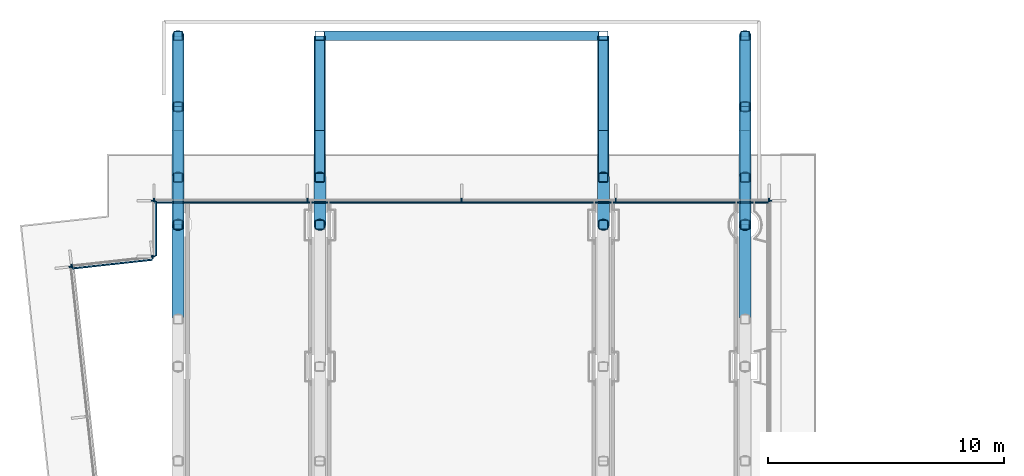
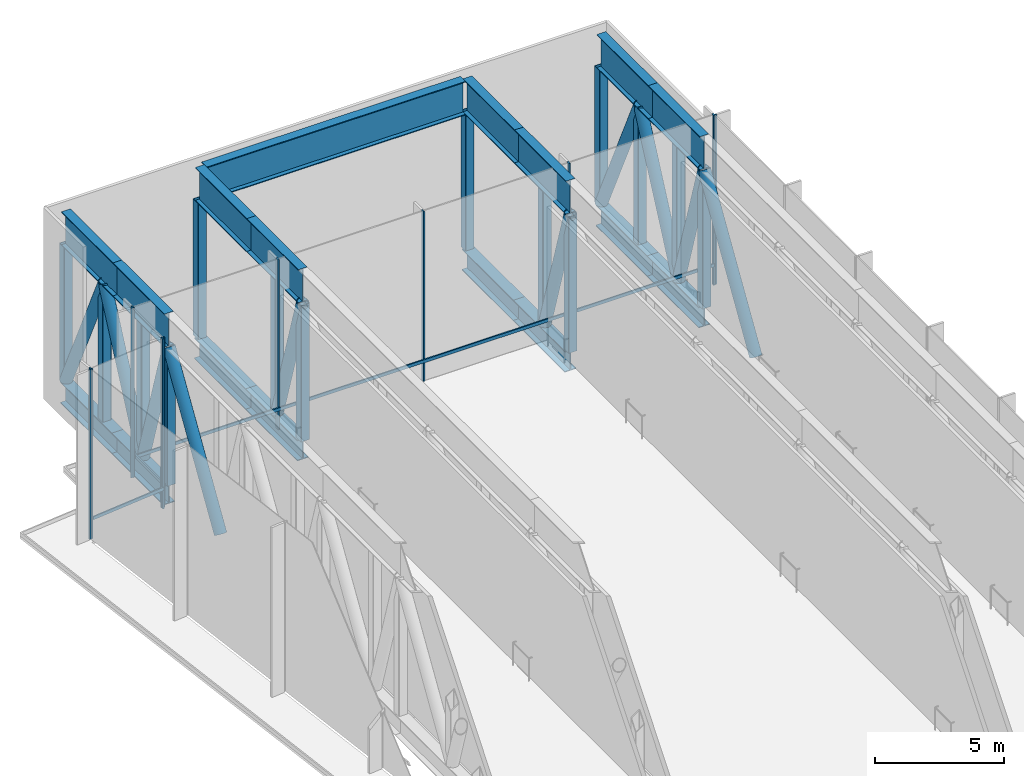
# One storey, part 11 of 25: 54 members, 1 beam, 5 elements without a shape of their own.
"""IFC4 building model written with IfcOpenShell, lengths in metres."""

from ifc_helpers import new_model, si_unit, direction, frame, origin, origin_2d, place, context, subcontext, project, spatial, rectangle, hollow_rectangle, hollow_circle, i_section, extrude, material, layer, layer_set, material_profile, profile_set, type_object, element, aggregate, save


model = new_model("IFC4")

# Units and contexts
model_context = context("Model", 3, precision=1e-05, world=origin(), true_north=direction((0.0, 1.0)))
body_context = subcontext(model_context, "Body", "Model", "MODEL_VIEW")
ifc_project = project(units=[si_unit("LENGTHUNIT", "METRE"), si_unit("AREAUNIT", "SQUARE_METRE"), si_unit("VOLUMEUNIT", "CUBIC_METRE"), si_unit("PLANEANGLEUNIT", "RADIAN"), si_unit("MASSUNIT", "GRAM", prefix="KILO")], contexts=[model_context])

# Site, building, storey
site_placement = place(None, origin())
site = spatial("IfcSite", under=ifc_project, at=site_placement, CompositionType="ELEMENT")
building_placement = place(site_placement, origin())
building = spatial("IfcBuilding", under=site, at=building_placement, Name="Welwitschia Terrace Campus", CompositionType="ELEMENT")
storey_placement = place(building_placement, frame((0.0, 0.0, 79.39990234375)))
storey = spatial("IfcBuildingStorey", under=building, at=storey_placement, Name="L18", CompositionType="ELEMENT", Elevation=79.39990234375)

# Curtain wall, members
ifc_material_1 = material(Name="Bronze anodised aluminium", Category="aluminium")
ifc_layer = layer(ifc_material_1, 0.159912109375)
ifc_layer_set = layer_set([ifc_layer], Name="Bronze anodised aluminium")
curtain_wall_type = type_object("IfcCurtainWallType", Name="Curtain wall CW3 commons 6000", PredefinedType="NOTDEFINED", material=ifc_layer_set)
curtain_wall_1_placement = place(storey_placement, origin())
curtain_wall_1 = element("IfcCurtainWall", 1, at=curtain_wall_1_placement, inside=storey, type_object=curtain_wall_type, Name="CW L18.0.0", PredefinedType="NOTDEFINED")
ifc_material_2 = material(Name="Bronze anodised aluminium", Category="aluminium")
ifc_material_profile_1 = material_profile(ifc_material_2, rectangle(XDim=0.159912109375, YDim=0.06005859375, at=origin_2d()))
ifc_profile_set_1 = profile_set([ifc_material_profile_1], Name="Bronze anodised aluminium")
member_type_1 = type_object("IfcMemberType", Name="Mullion 60x160", PredefinedType="MULLION", material=ifc_profile_set_1)
member_1_placement = place(storey_placement, frame((25.02001953125, 63.050048828125, 0.0), z_axis=(0.0, 0.0, 1.0), x_axis=(0.0, -1.0, 0.0)))
member_1 = element("IfcMember", 2, at=member_1_placement, type_object=member_type_1, Name="Mullion L18.0.0.0", PredefinedType="MULLION", context=body_context, shape_type="SweptSolid", body=[
    extrude(rectangle(XDim=0.159912109375, YDim=0.06005859375, at=origin_2d()), origin(), (0.0, 0.0, 1.0), 8.050048828125),
])
member_2_placement = place(storey_placement, frame((18.52490234375, 63.050048828125, 0.0), z_axis=(0.0, 0.0, 1.0), x_axis=(0.0, -1.0, 0.0)))
member_2 = element("IfcMember", 3, at=member_2_placement, type_object=member_type_1, Name="Mullion L18.0.0.1", PredefinedType="MULLION", context=body_context, shape_type="SweptSolid", body=[
    extrude(rectangle(XDim=0.159912109375, YDim=0.06005859375, at=origin_2d()), origin(), (0.0, 0.0, 1.0), 8.050048828125),
])
member_3_placement = place(storey_placement, frame((12.0, 63.050048828125, 0.0), z_axis=(0.0, 0.0, 1.0), x_axis=(0.0, -1.0, 0.0)))
member_3 = element("IfcMember", 4, at=member_3_placement, type_object=member_type_1, Name="Mullion L18.0.0.2", PredefinedType="MULLION", context=body_context, shape_type="SweptSolid", body=[
    extrude(rectangle(XDim=0.159912109375, YDim=0.06005859375, at=origin_2d()), origin(), (0.0, 0.0, 1.0), 8.050048828125),
])
member_4_placement = place(storey_placement, frame((5.47509765625, 63.050048828125, 0.0), z_axis=(0.0, 0.0, 1.0), x_axis=(0.0, -1.0, 0.0)))
member_4 = element("IfcMember", 5, at=member_4_placement, type_object=member_type_1, Name="Mullion L18.0.0.3", PredefinedType="MULLION", context=body_context, shape_type="SweptSolid", body=[
    extrude(rectangle(XDim=0.159912109375, YDim=0.06005859375, at=origin_2d()), origin(), (0.0, 0.0, 1.0), 8.050048828125),
])
member_5_placement = place(storey_placement, frame((-1.02001953125, 63.050048828125, 0.0), z_axis=(0.0, 0.0, 1.0), x_axis=(0.0, -1.0, 0.0)))
member_5 = element("IfcMember", 6, at=member_5_placement, type_object=member_type_1, Name="Mullion L18.0.0.4", PredefinedType="MULLION", context=body_context, shape_type="SweptSolid", body=[
    extrude(rectangle(XDim=0.159912109375, YDim=0.06005859375, at=origin_2d()), origin(), (0.0, 0.0, 1.0), 8.050048828125),
])

curtain_wall_2_placement = place(storey_placement, origin())
curtain_wall_2 = element("IfcCurtainWall", 7, at=curtain_wall_2_placement, inside=storey, type_object=curtain_wall_type, Name="CW L18.1.0", PredefinedType="NOTDEFINED")
member_6_placement = place(storey_placement, frame((-1.050048828125, 63.02001953125, 0.0), z_axis=(0.0, 0.0, 1.0), x_axis=(1.0, 0.0, 0.0)))
member_6 = element("IfcMember", 8, at=member_6_placement, type_object=member_type_1, Name="Mullion L18.1.0.0", PredefinedType="MULLION", context=body_context, shape_type="SweptSolid", body=[
    extrude(rectangle(XDim=0.159912109375, YDim=0.06005859375, at=origin_2d()), origin(), (0.0, 0.0, 1.0), 8.050048828125),
])
member_7_placement = place(storey_placement, frame((-1.050048828125, 60.669677734375, 0.0), z_axis=(0.0, 0.0, 1.0), x_axis=(1.0, 0.0, 0.0)))
member_7 = element("IfcMember", 9, at=member_7_placement, type_object=member_type_1, Name="Mullion L18.1.0.1", PredefinedType="MULLION", context=body_context, shape_type="SweptSolid", body=[
    extrude(rectangle(XDim=0.159912109375, YDim=0.06005859375, at=origin_2d()), origin(), (0.0, 0.0, 1.0), 8.050048828125),
])

curtain_wall_3_placement = place(storey_placement, origin())
curtain_wall_3 = element("IfcCurtainWall", 10, at=curtain_wall_3_placement, inside=storey, type_object=curtain_wall_type, Name="CW L18.2.0", PredefinedType="NOTDEFINED")
member_8_placement = place(storey_placement, frame((-1.079833984375, 60.636474609375, 0.0), z_axis=(0.0, 0.0, 1.0), x_axis=(0.108866874852, -0.994056338222, 0.0)))
member_8 = element("IfcMember", 11, at=member_8_placement, type_object=member_type_1, Name="Mullion L18.2.0.0", PredefinedType="MULLION", context=body_context, shape_type="SweptSolid", body=[
    extrude(rectangle(XDim=0.159912109375, YDim=0.06005859375, at=origin_2d()), origin(), (0.0, 0.0, 1.0), 8.050048828125),
])
member_9_placement = place(storey_placement, frame((-4.509521484375, 60.2607421875, 0.0), z_axis=(0.0, 0.0, 1.0), x_axis=(0.108866874852, -0.994056338222, 0.0)))
member_9 = element("IfcMember", 12, at=member_9_placement, type_object=member_type_1, Name="Mullion L18.2.0.1", PredefinedType="MULLION", context=body_context, shape_type="SweptSolid", body=[
    extrude(rectangle(XDim=0.159912109375, YDim=0.06005859375, at=origin_2d()), origin(), (0.0, 0.0, 1.0), 8.050048828125),
])

# Curtain wall, member
curtain_wall_4_placement = place(storey_placement, origin())
curtain_wall_4 = element("IfcCurtainWall", 13, at=curtain_wall_4_placement, inside=storey, type_object=curtain_wall_type, Name="CW L18.3.0", PredefinedType="NOTDEFINED")
member_10_placement = place(storey_placement, frame((-4.5361328125, 60.227783203125, 0.0), z_axis=(0.0, 0.0, 1.0), x_axis=(0.994056338222, 0.108866874852, 0.0)))
member_10 = element("IfcMember", 14, at=member_10_placement, type_object=member_type_1, Name="Mullion L18.3.0.0", PredefinedType="MULLION", context=body_context, shape_type="SweptSolid", body=[
    extrude(rectangle(XDim=0.159912109375, YDim=0.06005859375, at=origin_2d()), origin(), (0.0, 0.0, 1.0), 8.050048828125),
])
aggregate(curtain_wall_4, [member_10])

curtain_wall_5_placement = place(storey_placement, origin())
curtain_wall_5 = element("IfcCurtainWall", 15, at=curtain_wall_5_placement, inside=storey, type_object=curtain_wall_type, Name="CW L18.15.0", PredefinedType="NOTDEFINED")
member_11_placement = place(storey_placement, frame((25.050048828125, 63.02001953125, 0.0), z_axis=(0.0, 0.0, 1.0), x_axis=(-1.0, 0.0, 0.0)))
member_11 = element("IfcMember", 16, at=member_11_placement, type_object=member_type_1, Name="Mullion L18.15.0.6", PredefinedType="MULLION", context=body_context, shape_type="SweptSolid", body=[
    extrude(rectangle(XDim=0.159912109375, YDim=0.06005859375, at=origin_2d()), origin(), (0.0, 0.0, 1.0), 8.050048828125),
])
aggregate(curtain_wall_5, [member_11])

# Beam
ifc_material_3 = material(Name="Steel S355", Category="steel")
ifc_material_profile_2 = material_profile(ifc_material_3, i_section(OverallWidth=0.39990234375, OverallDepth=1.60009765625, WebThickness=0.030029296875, FlangeThickness=0.0400390625, at=origin_2d()))
ifc_profile_set_2 = profile_set([ifc_material_profile_2], Name="Steel S355")
beam_type = type_object("IfcBeamType", Name="Tip edge girder C1 top WI 1600x400x30x40", PredefinedType="BEAM", material=ifc_profile_set_2)
beam_placement = place(storey_placement, frame((6.199951171875, 70.0, 7.25), z_axis=(1.0, 0.0, 0.0), x_axis=(0.0, 1.0, 0.0)))
element("IfcBeam", 17, at=beam_placement, inside=storey, type_object=beam_type, Name="Tip edge girder", PredefinedType="BEAM", context=body_context, shape_type="SweptSolid", body=[
    extrude(i_section(OverallWidth=0.39990234375, OverallDepth=1.60009765625, WebThickness=0.030029296875, FlangeThickness=0.0400390625, at=origin_2d()), origin(), (0.0, 0.0, 1.0), 11.60009765625),
])

# Members
ifc_material_4 = material(Name="Steel S355", Category="steel")
ifc_material_profile_3 = material_profile(ifc_material_4, i_section(OverallWidth=0.5, OverallDepth=1.0, WebThickness=0.0400390625, FlangeThickness=0.0400390625, at=origin_2d()))
ifc_profile_set_3 = profile_set([ifc_material_profile_3], Name="Steel S355")
member_type_2 = type_object("IfcMemberType", Name="Transfer truss C1 bottom cantilever chord WI 1000x500x40x40", PredefinedType="CHORD", material=ifc_profile_set_3)
for number, where, z_axis, x_axis, name in (
    (18, (0.0, 62.0, -0.5), (0.0, 1.0, 0.0), (-1.0, 0.0, 0.0), "Truss bottom chord"),
    (19, (0.0, 66.0, -0.5), (0.0, 1.0, 0.0), (-1.0, 0.0, 0.0), "Truss bottom chord"),
    (20, (6.0, 62.0, -0.5), (0.0, 1.0, 0.0), (-1.0, 0.0, 0.0), "Truss bottom chord"),
    (21, (6.0, 66.0, -0.5), (0.0, 1.0, 0.0), (-1.0, 0.0, 0.0), "Truss bottom chord"),
    (22, (18.0, 62.0, -0.5), (0.0, 1.0, 0.0), (-1.0, 0.0, 0.0), "Truss bottom chord"),
    (23, (18.0, 66.0, -0.5), (0.0, 1.0, 0.0), (-1.0, 0.0, 0.0), "Truss bottom chord"),
    (24, (24.0, 62.0, -0.5), (0.0, 1.0, 0.0), (-1.0, 0.0, 0.0), "Truss bottom chord"),
    (25, (24.0, 66.0, -0.5), (0.0, 1.0, 0.0), (-1.0, 0.0, 0.0), "Truss bottom chord"),
):
    element("IfcMember", number, at=place(storey_placement, frame(where, z_axis=z_axis, x_axis=x_axis)), inside=storey, type_object=member_type_2, Name=name, PredefinedType="CHORD", context=body_context, shape_type="SweptSolid", body=[
        extrude(i_section(OverallWidth=0.5, OverallDepth=1.0, WebThickness=0.0400390625, FlangeThickness=0.0400390625, at=origin_2d()), origin(), (0.0, 0.0, 1.0), 4.0),
    ])
ifc_material_5 = material(Name="Steel S355", Category="steel")
ifc_material_profile_4 = material_profile(ifc_material_5, hollow_circle(Radius=0.25390625, WallThickness=0.02490234375, at=origin_2d()))
ifc_profile_set_4 = profile_set([ifc_material_profile_4], Name="Steel S355")
member_type_3 = type_object("IfcMemberType", Name="Transfer truss C1 diagonal CHS 508x25", PredefinedType="BRACE", material=ifc_profile_set_4)
member_12_placement = place(storey_placement, frame((0.0, 58.0, 0.0), z_axis=(0.0, 0.527023313392, 0.849850826405), x_axis=(-1.0, 0.0, 0.0)))
element("IfcMember", 26, at=member_12_placement, inside=storey, type_object=member_type_3, Name="Truss diagonal", PredefinedType="BRACE", context=body_context, shape_type="SweptSolid", body=[
    extrude(hollow_circle(Radius=0.25390625, WallThickness=0.02490234375, at=origin_2d()), origin(), (0.0, 0.0, 1.0), 7.58984375),
])
member_13_placement = place(storey_placement, frame((0.0, 64.0, 0.0), z_axis=(0.0, -0.296158139039, 0.955138920095), x_axis=(1.0, 0.0, 0.0)))
element("IfcMember", 27, at=member_13_placement, inside=storey, type_object=member_type_3, Name="Truss diagonal", PredefinedType="BRACE", context=body_context, shape_type="SweptSolid", body=[
    extrude(hollow_circle(Radius=0.25390625, WallThickness=0.02490234375, at=origin_2d()), origin(), (0.0, 0.0, 1.0), 6.753173828125),
])
for number, where, z_axis, x_axis, name in (
    (28, (0.0, 64.0, 0.0), (0.0, 0.421720250825, 0.906725995019), (-1.0, 0.0, 0.0), "Truss diagonal"),
    (29, (0.0, 70.0, 0.0), (0.0, -0.421720250825, 0.906725995019), (1.0, 0.0, 0.0), "Truss diagonal"),
):
    element("IfcMember", number, at=place(storey_placement, frame(where, z_axis=z_axis, x_axis=x_axis)), inside=storey, type_object=member_type_3, Name=name, PredefinedType="BRACE", context=body_context, shape_type="SweptSolid", body=[
        extrude(hollow_circle(Radius=0.25390625, WallThickness=0.02490234375, at=origin_2d()), origin(), (0.0, 0.0, 1.0), 7.11376953125),
    ])
for number, where, z_axis, x_axis, name in (
    (30, (6.0, 64.0, 0.0), (0.0, -0.296158139039, 0.955138920095), (1.0, 0.0, 0.0), "Truss diagonal"),
    (31, (18.0, 64.0, 0.0), (0.0, -0.296158139039, 0.955138920095), (1.0, 0.0, 0.0), "Truss diagonal"),
):
    element("IfcMember", number, at=place(storey_placement, frame(where, z_axis=z_axis, x_axis=x_axis)), inside=storey, type_object=member_type_3, Name=name, PredefinedType="BRACE", context=body_context, shape_type="SweptSolid", body=[
        extrude(hollow_circle(Radius=0.25390625, WallThickness=0.02490234375, at=origin_2d()), origin(), (0.0, 0.0, 1.0), 6.753173828125),
    ])
member_14_placement = place(storey_placement, frame((24.0, 58.0, 0.0), z_axis=(0.0, 0.527023313392, 0.849850826405), x_axis=(-1.0, 0.0, 0.0)))
element("IfcMember", 32, at=member_14_placement, inside=storey, type_object=member_type_3, Name="Truss diagonal", PredefinedType="BRACE", context=body_context, shape_type="SweptSolid", body=[
    extrude(hollow_circle(Radius=0.25390625, WallThickness=0.02490234375, at=origin_2d()), origin(), (0.0, 0.0, 1.0), 7.58984375),
])
member_15_placement = place(storey_placement, frame((24.0, 64.0, 0.0), z_axis=(0.0, -0.296158139039, 0.955138920095), x_axis=(1.0, 0.0, 0.0)))
element("IfcMember", 33, at=member_15_placement, inside=storey, type_object=member_type_3, Name="Truss diagonal", PredefinedType="BRACE", context=body_context, shape_type="SweptSolid", body=[
    extrude(hollow_circle(Radius=0.25390625, WallThickness=0.02490234375, at=origin_2d()), origin(), (0.0, 0.0, 1.0), 6.753173828125),
])
for number, where, z_axis, x_axis, name in (
    (34, (24.0, 64.0, 0.0), (0.0, 0.421720250825, 0.906725995019), (-1.0, 0.0, 0.0), "Truss diagonal"),
    (35, (24.0, 70.0, 0.0), (0.0, -0.421720250825, 0.906725995019), (1.0, 0.0, 0.0), "Truss diagonal"),
):
    element("IfcMember", number, at=place(storey_placement, frame(where, z_axis=z_axis, x_axis=x_axis)), inside=storey, type_object=member_type_3, Name=name, PredefinedType="BRACE", context=body_context, shape_type="SweptSolid", body=[
        extrude(hollow_circle(Radius=0.25390625, WallThickness=0.02490234375, at=origin_2d()), origin(), (0.0, 0.0, 1.0), 7.11376953125),
    ])
ifc_material_6 = material(Name="Steel S355", Category="steel")
ifc_material_profile_5 = material_profile(ifc_material_6, hollow_rectangle(XDim=0.39990234375, YDim=0.39990234375, WallThickness=0.02490234375, InnerFilletRadius=0.02490234375, OuterFilletRadius=0.03759765625, at=origin_2d()))
ifc_profile_set_5 = profile_set([ifc_material_profile_5], Name="Steel S355")
member_type_4 = type_object("IfcMemberType", Name="Transfer truss C1 post SHS 400x400x25", PredefinedType="POST", material=ifc_profile_set_5)
for number, where, z_axis, x_axis, name in (
    (36, (0.0, 62.0, 0.0), (0.0, 0.0, 1.0), (1.0, 0.0, 0.0), "Truss post"),
    (37, (0.0, 64.0, 0.0), (0.0, 0.0, 1.0), (1.0, 0.0, 0.0), "Truss post"),
    (38, (0.0, 67.0, 0.0), (0.0, 0.0, 1.0), (1.0, 0.0, 0.0), "Truss post"),
    (39, (0.0, 70.0, 0.0), (0.0, 0.0, 1.0), (1.0, 0.0, 0.0), "Truss post"),
    (40, (6.0, 62.0, 0.0), (0.0, 0.0, 1.0), (1.0, 0.0, 0.0), "Truss post"),
    (41, (6.0, 64.0, 0.0), (0.0, 0.0, 1.0), (1.0, 0.0, 0.0), "Truss post"),
    (42, (6.0, 70.0, 0.0), (0.0, 0.0, 1.0), (1.0, 0.0, 0.0), "Truss post"),
    (43, (18.0, 62.0, 0.0), (0.0, 0.0, 1.0), (1.0, 0.0, 0.0), "Truss post"),
    (44, (18.0, 64.0, 0.0), (0.0, 0.0, 1.0), (1.0, 0.0, 0.0), "Truss post"),
    (45, (18.0, 70.0, 0.0), (0.0, 0.0, 1.0), (1.0, 0.0, 0.0), "Truss post"),
    (46, (24.0, 62.0, 0.0), (0.0, 0.0, 1.0), (1.0, 0.0, 0.0), "Truss post"),
    (47, (24.0, 64.0, 0.0), (0.0, 0.0, 1.0), (1.0, 0.0, 0.0), "Truss post"),
    (48, (24.0, 67.0, 0.0), (0.0, 0.0, 1.0), (1.0, 0.0, 0.0), "Truss post"),
    (49, (24.0, 70.0, 0.0), (0.0, 0.0, 1.0), (1.0, 0.0, 0.0), "Truss post"),
):
    element("IfcMember", number, at=place(storey_placement, frame(where, z_axis=z_axis, x_axis=x_axis)), inside=storey, type_object=member_type_4, Name=name, PredefinedType="POST", context=body_context, shape_type="SweptSolid", body=[
        extrude(hollow_rectangle(XDim=0.39990234375, YDim=0.39990234375, WallThickness=0.02490234375, InnerFilletRadius=0.02490234375, OuterFilletRadius=0.03759765625, at=origin_2d()), origin(), (0.0, 0.0, 1.0), 6.4501953125),
    ])
ifc_material_7 = material(Name="Steel S355", Category="steel")
ifc_material_profile_6 = material_profile(ifc_material_7, i_section(OverallWidth=0.39990234375, OverallDepth=1.60009765625, WebThickness=0.0400390625, FlangeThickness=0.0400390625, at=origin_2d()))
ifc_profile_set_6 = profile_set([ifc_material_profile_6], Name="Steel S355")
member_type_5 = type_object("IfcMemberType", Name="Transfer truss C1 top cantilever chord WI 1600x400x40x40", PredefinedType="CHORD", material=ifc_profile_set_6)
for number, where, z_axis, x_axis, name in (
    (50, (0.0, 62.0, 7.25), (0.0, 1.0, 0.0), (-1.0, 0.0, 0.0), "Truss top chord"),
    (51, (0.0, 66.0, 7.25), (0.0, 1.0, 0.0), (-1.0, 0.0, 0.0), "Truss top chord"),
    (52, (6.0, 62.0, 7.25), (0.0, 1.0, 0.0), (-1.0, 0.0, 0.0), "Truss top chord"),
    (53, (6.0, 66.0, 7.25), (0.0, 1.0, 0.0), (-1.0, 0.0, 0.0), "Truss top chord"),
    (54, (18.0, 62.0, 7.25), (0.0, 1.0, 0.0), (-1.0, 0.0, 0.0), "Truss top chord"),
    (55, (18.0, 66.0, 7.25), (0.0, 1.0, 0.0), (-1.0, 0.0, 0.0), "Truss top chord"),
    (56, (24.0, 62.0, 7.25), (0.0, 1.0, 0.0), (-1.0, 0.0, 0.0), "Truss top chord"),
    (57, (24.0, 66.0, 7.25), (0.0, 1.0, 0.0), (-1.0, 0.0, 0.0), "Truss top chord"),
):
    element("IfcMember", number, at=place(storey_placement, frame(where, z_axis=z_axis, x_axis=x_axis)), inside=storey, type_object=member_type_5, Name=name, PredefinedType="CHORD", context=body_context, shape_type="SweptSolid", body=[
        extrude(i_section(OverallWidth=0.39990234375, OverallDepth=1.60009765625, WebThickness=0.0400390625, FlangeThickness=0.0400390625, at=origin_2d()), origin(), (0.0, 0.0, 1.0), 4.0),
    ])

# Member
ifc_material_8 = material(Name="Bronze anodised aluminium", Category="aluminium")
ifc_material_profile_7 = material_profile(ifc_material_8, rectangle(XDim=0.06005859375, YDim=0.14990234375, at=origin_2d()))
ifc_profile_set_7 = profile_set([ifc_material_profile_7], Name="Bronze anodised aluminium")
member_type_6 = type_object("IfcMemberType", Name="Transom 60x150", PredefinedType="USERDEFINED", material=ifc_profile_set_7)
member_16_placement = place(storey_placement, frame((24.989990234375, 62.93994140625, 1.0), z_axis=(-1.0, 0.0, 0.0), x_axis=(0.0, -1.0, 0.0)))
member_16 = element("IfcMember", 58, at=member_16_placement, type_object=member_type_6, Name="Transom L18.0.0", ObjectType="TRANSOM", PredefinedType="USERDEFINED", context=body_context, shape_type="SweptSolid", body=[
    extrude(rectangle(XDim=0.06005859375, YDim=0.14990234375, at=origin_2d()), origin(), (0.0, 0.0, 1.0), 25.97998046875),
])

aggregate(curtain_wall_1, [member_1, member_2, member_3, member_4, member_5, member_16])

member_17_placement = place(storey_placement, frame((-0.93994140625, 62.989990234375, 1.0), z_axis=(0.0, -1.0, 0.0), x_axis=(1.0, 0.0, 0.0)))
member_17 = element("IfcMember", 59, at=member_17_placement, type_object=member_type_6, Name="Transom L18.1.0", ObjectType="TRANSOM", PredefinedType="USERDEFINED", context=body_context, shape_type="SweptSolid", body=[
    extrude(rectangle(XDim=0.06005859375, YDim=0.14990234375, at=origin_2d()), origin(), (0.0, 0.0, 1.0), 2.290283203125),
])

aggregate(curtain_wall_2, [member_6, member_7, member_17])

member_18_placement = place(storey_placement, frame((-1.09765625, 60.52392578125, 1.0), z_axis=(-0.994054653793, -0.108882254168, 0.0), x_axis=(0.108882254168, -0.994054653793, 0.0)))
member_18 = element("IfcMember", 60, at=member_18_placement, type_object=member_type_6, Name="Transom L18.2.0", ObjectType="TRANSOM", PredefinedType="USERDEFINED", context=body_context, shape_type="SweptSolid", body=[
    extrude(rectangle(XDim=0.06005859375, YDim=0.14990234375, at=origin_2d()), origin(), (0.0, 0.0, 1.0), 3.390380859375),
])

aggregate(curtain_wall_3, [member_8, member_9, member_18])

save(model, "model.ifc")
